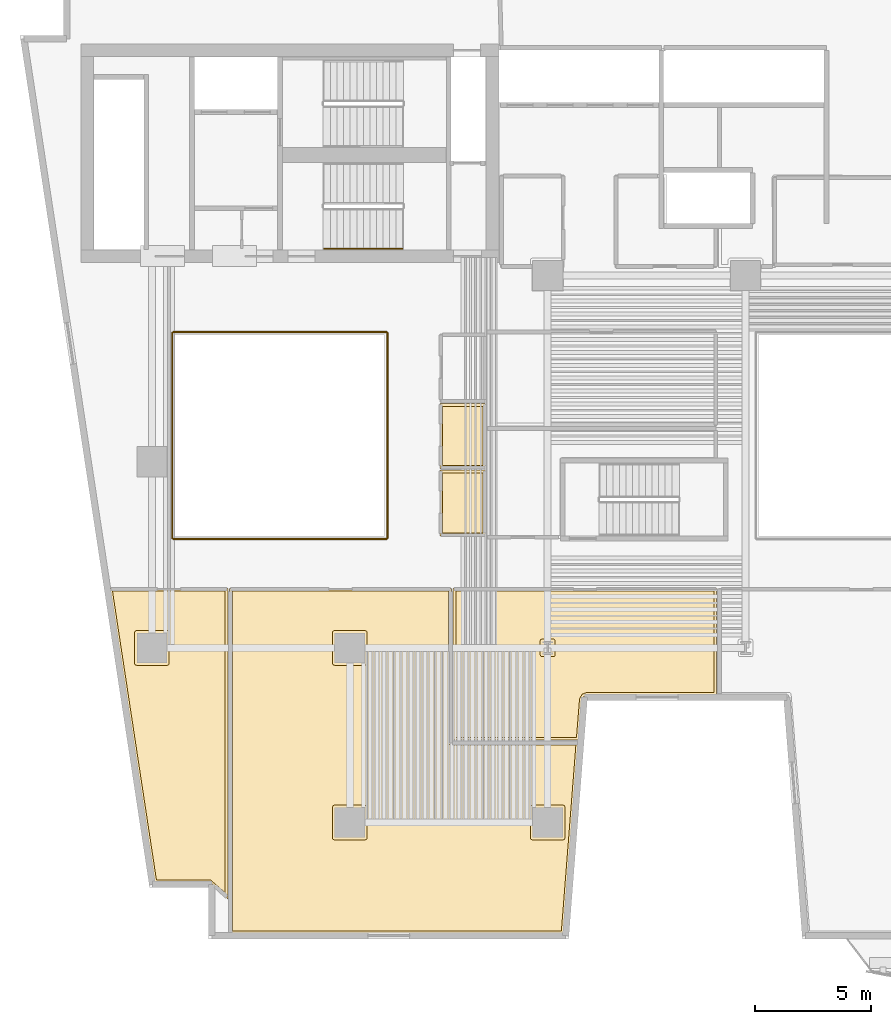
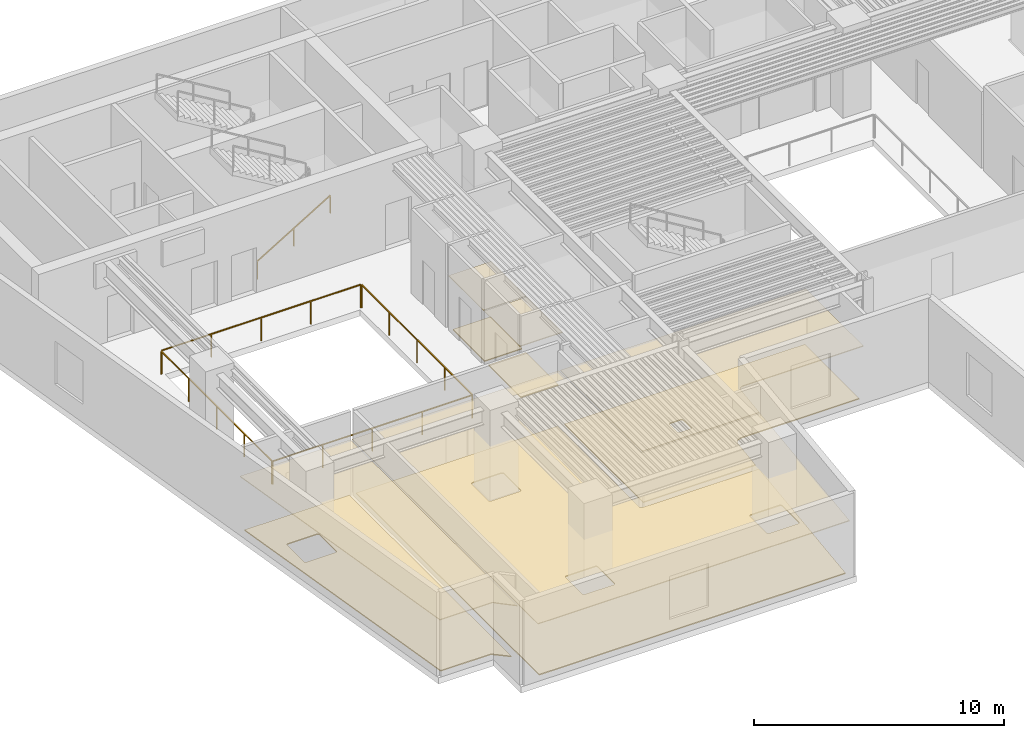
# One storey, part 7 of 11: 10 coverings, 5 railings.
"""IFC4 building model written with IfcOpenShell, lengths in metres."""

from ifc_helpers import new_model, si_unit, direction, frame, origin, origin_2d, place, context, subcontext, project, spatial, polyline, rectangle, outline, extrude, material, layer, layer_set, type_object, element, save


model = new_model("IFC4")

# Units and contexts
model_context = context("Model", 3, precision=1e-05, world=origin(), true_north=direction((0.0, 1.0)))
body_context = subcontext(model_context, "Body", "Model", "MODEL_VIEW")
ifc_project = project(units=[si_unit("LENGTHUNIT", "METRE"), si_unit("AREAUNIT", "SQUARE_METRE"), si_unit("VOLUMEUNIT", "CUBIC_METRE"), si_unit("PLANEANGLEUNIT", "RADIAN"), si_unit("MASSUNIT", "GRAM", prefix="KILO")], contexts=[model_context])

# Site, building, storey
site_placement = place(None, origin())
site = spatial("IfcSite", under=ifc_project, at=site_placement, CompositionType="ELEMENT")
building_placement = place(site_placement, origin())
building = spatial("IfcBuilding", under=site, at=building_placement, Name="Caeloran Harvest Quay", CompositionType="ELEMENT")
storey_placement = place(building_placement, frame((0.0, 0.0, 66.60009765625)))
storey = spatial("IfcBuildingStorey", under=building, at=storey_placement, Name="L15", CompositionType="ELEMENT", Elevation=66.60009765625)

# Coverings
ifc_material_1 = material(Name="Perforated Mineral-Fibre Acoustic Ceiling Tile", Category="ceiling")
ifc_layer_1 = layer(ifc_material_1, 0.0400390625, Name="Perforated Mineral-Fibre Acoustic Ceiling Tile")
ifc_layer_set_1 = layer_set([ifc_layer_1], Name="Perforated Mineral-Fibre Acoustic Ceiling Tile")
covering_type_1 = type_object("IfcCoveringType", Name="COV-CEILING-ACOUSTIC", PredefinedType="CEILING", material=ifc_layer_set_1)
covering_1_placement = place(storey_placement, frame((0.0, 0.0, 2.599853515625)))
element("IfcCovering", 1, at=covering_1_placement, inside=storey, type_object=covering_type_1, Name="L15 Female Washroom WC Acoustic Ceiling", PredefinedType="CEILING", context=body_context, shape_type="SweptSolid", body=[
    extrude(outline(polyline([(22.840087890625, 22.7099609375), (20.8701171875, 22.7099609375), (20.8701171875, 25.489990234375), (22.840087890625, 25.489990234375), (22.840087890625, 22.7099609375)])), origin(), (0.0, 0.0, 1.0), 0.0400390625),
])
covering_2_placement = place(storey_placement, frame((0.0, 0.0, 2.599853515625)))
element("IfcCovering", 2, at=covering_2_placement, inside=storey, type_object=covering_type_1, Name="L15 Accessible Unisex Washroom WC Acoustic Ceiling", PredefinedType="CEILING", context=body_context, shape_type="SweptSolid", body=[
    extrude(outline(polyline([(22.840087890625, 19.81005859375), (20.8701171875, 19.81005859375), (20.8701171875, 22.639892578125), (22.840087890625, 22.639892578125), (22.840087890625, 19.81005859375)])), origin(), (0.0, 0.0, 1.0), 0.0400390625),
])
covering_3_placement = place(storey_placement, frame((0.0, 0.0, 2.599853515625)))
element("IfcCovering", 3, at=covering_3_placement, inside=storey, type_object=covering_type_1, Name="Dwarf Citrus Mezzanine Growing Hall Acoustic Ceiling", PredefinedType="CEILING", context=body_context, shape_type="SweptSolid", body=[
    extrude(outline(polyline([(21.360107421875, 10.9599609375), (26.842529296875, 10.9599609375), (26.199462890625, 2.719970703125), (11.840087890625, 2.719970703125), (11.840087890625, 17.56005859375), (21.360107421875, 17.56005859375), (21.360107421875, 10.9599609375)])), origin(), (0.0, 0.0, 1.0), 0.0400390625),
])
covering_4_placement = place(storey_placement, frame((0.0, 0.0, 2.599853515625)))
element("IfcCovering", 4, at=covering_4_placement, inside=storey, type_object=covering_type_1, Name="Photobiology Spectrum Laboratory Acoustic Ceiling", PredefinedType="CEILING", context=body_context, shape_type="SweptSolid", body=[
    extrude(outline(polyline([(11.760009765625, 4.2236328125), (11.139404296875, 4.7861328125), (11.092529296875, 4.85546875), (10.99169921875, 4.919921875), (8.59130859375, 4.919921875), (6.668701171875, 17.56005859375), (11.760009765625, 17.56005859375), (11.760009765625, 4.2236328125)])), origin(), (0.0, 0.0, 1.0), 0.0400390625),
])
covering_5_placement = place(storey_placement, frame((0.0, 0.0, 2.599853515625)))
element("IfcCovering", 5, at=covering_5_placement, inside=storey, type_object=covering_type_1, Name="Water Chemistry QA Laboratory Acoustic Ceiling", PredefinedType="CEILING", context=body_context, shape_type="SweptSolid", body=[
    extrude(outline(polyline([(27.159423828125, 12.965576171875), (27.0458984375, 12.90380859375), (26.986572265625, 12.788818359375), (26.848876953125, 11.0400390625), (21.43994140625, 11.0400390625), (21.43994140625, 17.56005859375), (32.760009765625, 17.56005859375), (32.760009765625, 12.969970703125), (27.159423828125, 12.965576171875)])), origin(), (0.0, 0.0, 1.0), 0.0400390625),
])
ifc_material_2 = material(Name="Calcium-Sulphate Raised Access Floor and Terrazzo Finish", Category="flooring")
ifc_layer_2 = layer(ifc_material_2, 0.050048828125, Name="Calcium-Sulphate Raised Access Floor and Terrazzo Finish")
ifc_layer_set_2 = layer_set([ifc_layer_2], Name="Calcium-Sulphate Raised Access Floor and Terrazzo Finish")
covering_type_2 = type_object("IfcCoveringType", Name="COV-FLOOR-RAISED", PredefinedType="FLOORING", material=ifc_layer_set_2)
covering_6_placement = place(storey_placement, origin())
element("IfcCovering", 6, at=covering_6_placement, inside=storey, type_object=covering_type_2, Name="L15 Female Washroom WC Raised Finish Flooring", PredefinedType="FLOORING", context=body_context, shape_type="SweptSolid", body=[
    extrude(outline(polyline([(22.719970703125, 22.830078125), (20.989990234375, 22.830078125), (20.989990234375, 25.3701171875), (22.719970703125, 25.3701171875), (22.719970703125, 22.830078125)])), origin(), (0.0, 0.0, 1.0), 0.0498046875),
])
covering_7_placement = place(storey_placement, origin())
element("IfcCovering", 7, at=covering_7_placement, inside=storey, type_object=covering_type_2, Name="L15 Accessible Unisex Washroom WC Raised Finish Flooring", PredefinedType="FLOORING", context=body_context, shape_type="SweptSolid", body=[
    extrude(outline(polyline([(22.719970703125, 19.929931640625), (20.989990234375, 19.929931640625), (20.989990234375, 22.52001953125), (22.719970703125, 22.52001953125), (22.719970703125, 19.929931640625)])), origin(), (0.0, 0.0, 1.0), 0.0498046875),
])
covering_8_placement = place(storey_placement, origin())
element("IfcCovering", 8, at=covering_8_placement, inside=storey, type_object=covering_type_2, Name="Dwarf Citrus Mezzanine Growing Hall Raised Finish Flooring", PredefinedType="FLOORING", context=body_context, shape_type="SweptSolid", body=[
    extrude(outline(polyline([(11.9599609375, 17.43994140625), (21.239990234375, 17.43994140625), (21.25830078125, 10.869140625), (21.320068359375, 10.840087890625), (26.712890625, 10.840087890625), (26.08837890625, 2.840087890625), (11.9599609375, 2.840087890625), (11.9599609375, 17.43994140625)]), holes=[polyline([(26.2451171875, 8.1650390625), (26.2216796875, 8.2216796875), (26.1650390625, 8.2451171875), (24.8349609375, 8.2451171875), (24.7783203125, 8.2216796875), (24.7548828125, 8.1650390625), (24.7548828125, 6.8349609375), (24.7783203125, 6.7783203125), (24.8349609375, 6.7548828125), (26.1650390625, 6.7548828125), (26.2216796875, 6.7783203125), (26.2451171875, 6.8349609375), (26.2451171875, 8.1650390625)]), polyline([(16.3349609375, 8.2451171875), (16.2783203125, 8.2216796875), (16.2548828125, 8.1650390625), (16.2548828125, 6.8349609375), (16.2783203125, 6.7783203125), (16.3349609375, 6.7548828125), (17.6650390625, 6.7548828125), (17.7216796875, 6.7783203125), (17.7451171875, 6.8349609375), (17.7451171875, 8.1650390625), (17.7216796875, 8.2216796875), (17.6650390625, 8.2451171875), (16.3349609375, 8.2451171875)]), polyline([(17.7451171875, 15.6650390625), (17.7216796875, 15.7216796875), (17.6650390625, 15.7451171875), (16.3349609375, 15.7451171875), (16.2783203125, 15.7216796875), (16.2548828125, 15.6650390625), (16.2548828125, 14.3349609375), (16.2783203125, 14.2783203125), (16.3349609375, 14.2548828125), (17.6650390625, 14.2548828125), (17.7216796875, 14.2783203125), (17.7451171875, 14.3349609375), (17.7451171875, 15.6650390625)])]), origin(), (0.0, 0.0, 1.0), 0.0498046875),
])
covering_9_placement = place(storey_placement, origin())
element("IfcCovering", 9, at=covering_9_placement, inside=storey, type_object=covering_type_2, Name="Photobiology Spectrum Laboratory Raised Finish Flooring", PredefinedType="FLOORING", context=body_context, shape_type="SweptSolid", body=[
    extrude(outline(polyline([(11.639892578125, 4.494384765625), (11.007080078125, 5.0400390625), (8.694580078125, 5.0400390625), (6.80810546875, 17.43994140625), (11.639892578125, 17.43994140625), (11.639892578125, 4.494384765625)]), holes=[polyline([(9.2451171875, 15.6650390625), (9.2216796875, 15.7216796875), (9.1650390625, 15.7451171875), (7.8349609375, 15.7451171875), (7.7783203125, 15.7216796875), (7.7548828125, 15.6650390625), (7.7548828125, 14.3349609375), (7.7783203125, 14.2783203125), (7.8349609375, 14.2548828125), (9.1650390625, 14.2548828125), (9.2216796875, 14.2783203125), (9.2451171875, 14.3349609375), (9.2451171875, 15.6650390625)])]), origin(), (0.0, 0.0, 1.0), 0.0498046875),
])
covering_10_placement = place(storey_placement, origin())
element("IfcCovering", 10, at=covering_10_placement, inside=storey, type_object=covering_type_2, Name="Water Chemistry QA Laboratory Raised Finish Flooring", PredefinedType="FLOORING", context=body_context, shape_type="SweptSolid", body=[
    extrude(outline(polyline([(27.173095703125, 13.088623046875), (26.981689453125, 13.008056640625), (26.869140625, 12.81396484375), (26.73779296875, 11.159912109375), (21.56005859375, 11.159912109375), (21.56005859375, 17.43994140625), (32.639892578125, 17.43994140625), (32.639892578125, 13.090087890625), (27.173095703125, 13.088623046875)]), holes=[polyline([(25.822021484375, 14.700439453125), (25.8037109375, 15.350341796875), (25.749755859375, 15.379150390625), (25.258056640625, 15.37939453125), (25.201416015625, 15.356201171875), (25.177978515625, 15.299560546875), (25.177978515625, 14.700439453125), (25.201416015625, 14.643798828125), (25.258056640625, 14.62060546875), (25.741943359375, 14.62060546875), (25.798583984375, 14.643798828125), (25.822021484375, 14.700439453125)])]), origin(), (0.0, 0.0, 1.0), 0.0498046875),
])

# Railings
ifc_material_3 = material(Name="Powder-Coated Steel Post and Laminated Glass Guardrail", Category="steel")
ifc_layer_3 = layer(ifc_material_3, 0.06005859375, Name="Powder-Coated Steel Post and Laminated Glass Guardrail")
ifc_layer_set_3 = layer_set([ifc_layer_3], Name="Powder-Coated Steel Post and Laminated Glass Guardrail")
railing_type_1 = type_object("IfcRailingType", Name="GUARD-ATRIUM-1150", PredefinedType="GUARDRAIL", material=ifc_layer_set_3)
railing_1_placement = place(storey_placement, frame((9.412109375, 19.679931640625, 0.0)))
element("IfcRailing", 11, at=railing_1_placement, inside=storey, type_object=railing_type_1, Name="L15 Skylit Atrium Void Perimeter Guardrail Seg 1", PredefinedType="GUARDRAIL", context=body_context, shape_type="SweptSolid", body=[
    extrude(rectangle(XDim=0.048095703125, YDim=0.048095703125, at=origin_2d()), frame((0.0, 0.0, 1.1259765625), z_axis=(1.0, 0.0, 0.0), x_axis=(0.0, 1.0, 0.0)), (0.0, 0.0, 1.0), 9.17578125),
    extrude(rectangle(XDim=0.0419921875, YDim=0.0419921875, at=origin_2d()), origin(), (0.0, 0.0, 1.0), 1.101806640625),
    extrude(rectangle(XDim=0.0419921875, YDim=0.0419921875, at=origin_2d()), frame((2.2939453125, 0.0, 0.0)), (0.0, 0.0, 1.0), 1.101806640625),
    extrude(rectangle(XDim=0.0419921875, YDim=0.0419921875, at=origin_2d()), frame((4.587890625, 0.0, 0.0)), (0.0, 0.0, 1.0), 1.101806640625),
    extrude(rectangle(XDim=0.0419921875, YDim=0.0419921875, at=origin_2d()), frame((6.8818359375, 0.0, 0.0)), (0.0, 0.0, 1.0), 1.101806640625),
    extrude(rectangle(XDim=0.0419921875, YDim=0.0419921875, at=origin_2d()), frame((9.17578125, 0.0, 0.0)), (0.0, 0.0, 1.0), 1.101806640625),
])
railing_2_placement = place(storey_placement, frame((18.6201171875, 19.7119140625, 0.0)))
element("IfcRailing", 12, at=railing_2_placement, inside=storey, type_object=railing_type_1, Name="L15 Skylit Atrium Void Perimeter Guardrail Seg 2", PredefinedType="GUARDRAIL", context=body_context, shape_type="SweptSolid", body=[
    extrude(rectangle(XDim=0.048095703125, YDim=0.048095703125, at=origin_2d()), frame((0.0, 0.0, 1.1259765625), z_axis=(0.0, 1.0, 0.0), x_axis=(-1.0, 0.0, 0.0)), (0.0, 0.0, 1.0), 8.826171875),
    extrude(rectangle(XDim=0.0419921875, YDim=0.0419921875, at=origin_2d()), origin(), (0.0, 0.0, 1.0), 1.101806640625),
    extrude(rectangle(XDim=0.0419921875, YDim=0.0419921875, at=origin_2d()), frame((0.0, 2.20654296875, 0.0)), (0.0, 0.0, 1.0), 1.101806640625),
    extrude(rectangle(XDim=0.0419921875, YDim=0.0419921875, at=origin_2d()), frame((0.0, 4.4130859375, 0.0)), (0.0, 0.0, 1.0), 1.101806640625),
    extrude(rectangle(XDim=0.0419921875, YDim=0.0419921875, at=origin_2d()), frame((0.0, 6.61962890625, 0.0)), (0.0, 0.0, 1.0), 1.101806640625),
    extrude(rectangle(XDim=0.0419921875, YDim=0.0419921875, at=origin_2d()), frame((0.0, 8.826171875, 0.0)), (0.0, 0.0, 1.0), 1.101806640625),
])
railing_3_placement = place(storey_placement, frame((18.587890625, 28.570068359375, 0.0)))
element("IfcRailing", 13, at=railing_3_placement, inside=storey, type_object=railing_type_1, Name="L15 Skylit Atrium Void Perimeter Guardrail Seg 3", PredefinedType="GUARDRAIL", context=body_context, shape_type="SweptSolid", body=[
    extrude(rectangle(XDim=0.048095703125, YDim=0.048095703125, at=origin_2d()), frame((0.0, 0.0, 1.1259765625), z_axis=(-1.0, 0.0, 0.0), x_axis=(0.0, -1.0, 0.0)), (0.0, 0.0, 1.0), 9.17578125),
    extrude(rectangle(XDim=0.0419921875, YDim=0.0419921875, at=origin_2d()), origin(), (0.0, 0.0, 1.0), 1.101806640625),
    extrude(rectangle(XDim=0.0419921875, YDim=0.0419921875, at=origin_2d()), frame((-2.2939453125, 0.0, 0.0)), (0.0, 0.0, 1.0), 1.101806640625),
    extrude(rectangle(XDim=0.0419921875, YDim=0.0419921875, at=origin_2d()), frame((-4.587890625, 0.0, 0.0)), (0.0, 0.0, 1.0), 1.101806640625),
    extrude(rectangle(XDim=0.0419921875, YDim=0.0419921875, at=origin_2d()), frame((-6.8818359375, 0.0, 0.0)), (0.0, 0.0, 1.0), 1.101806640625),
    extrude(rectangle(XDim=0.0419921875, YDim=0.0419921875, at=origin_2d()), frame((-9.17578125, 0.0, 0.0)), (0.0, 0.0, 1.0), 1.101806640625),
])
railing_4_placement = place(storey_placement, frame((9.3798828125, 28.5380859375, 0.0)))
element("IfcRailing", 14, at=railing_4_placement, inside=storey, type_object=railing_type_1, Name="L15 Skylit Atrium Void Perimeter Guardrail Seg 4", PredefinedType="GUARDRAIL", context=body_context, shape_type="SweptSolid", body=[
    extrude(rectangle(XDim=0.048095703125, YDim=0.048095703125, at=origin_2d()), frame((0.0, 0.0, 1.1259765625), z_axis=(0.0, -1.0, 0.0), x_axis=(1.0, 0.0, 0.0)), (0.0, 0.0, 1.0), 8.826171875),
    extrude(rectangle(XDim=0.0419921875, YDim=0.0419921875, at=origin_2d()), origin(), (0.0, 0.0, 1.0), 1.101806640625),
    extrude(rectangle(XDim=0.0419921875, YDim=0.0419921875, at=origin_2d()), frame((0.0, -2.20654296875, 0.0)), (0.0, 0.0, 1.0), 1.101806640625),
    extrude(rectangle(XDim=0.0419921875, YDim=0.0419921875, at=origin_2d()), frame((0.0, -4.4130859375, 0.0)), (0.0, 0.0, 1.0), 1.101806640625),
    extrude(rectangle(XDim=0.0419921875, YDim=0.0419921875, at=origin_2d()), frame((0.0, -6.61962890625, 0.0)), (0.0, 0.0, 1.0), 1.101806640625),
    extrude(rectangle(XDim=0.0419921875, YDim=0.0419921875, at=origin_2d()), frame((0.0, -8.826171875, 0.0)), (0.0, 0.0, 1.0), 1.101806640625),
])
ifc_material_4 = material(Name="Brushed Stainless Steel Grade 304", Category="steel")
ifc_layer_4 = layer(ifc_material_4, 0.050048828125, Name="Brushed Stainless Steel Grade 304")
ifc_layer_set_4 = layer_set([ifc_layer_4], Name="Brushed Stainless Steel Grade 304")
railing_type_2 = type_object("IfcRailingType", Name="STAIR-HANDRAIL-900", PredefinedType="HANDRAIL", material=ifc_layer_set_4)
railing_5_placement = place(storey_placement, frame((15.89990234375, 32.14990234375, 0.169189453125)))
element("IfcRailing", 15, at=railing_5_placement, inside=storey, type_object=railing_type_2, Name="L15 ST-C2 stair handrail 1", PredefinedType="HANDRAIL", context=body_context, shape_type="SweptSolid", body=[
    extrude(rectangle(XDim=0.048095703125, YDim=0.048095703125, at=origin_2d()), frame((0.0, 0.0, 0.8759765625), z_axis=(0.855836976705, 0.0, 0.517245656632), x_axis=(0.0, 1.0, 0.0)), (0.0, 0.0, 1.0), 3.926025390625),
    extrude(rectangle(XDim=0.0419921875, YDim=0.0419921875, at=origin_2d()), origin(), (0.0, 0.0, 1.0), 0.851806640625),
    extrude(rectangle(XDim=0.0419921875, YDim=0.0419921875, at=origin_2d()), frame((1.68017578125, 0.0, 1.015380859375)), (0.0, 0.0, 1.0), 0.851806640625),
    extrude(rectangle(XDim=0.0419921875, YDim=0.0419921875, at=origin_2d()), frame((3.360107421875, 0.0, 2.03076171875)), (0.0, 0.0, 1.0), 0.851806640625),
])

save(model, "model.ifc")
